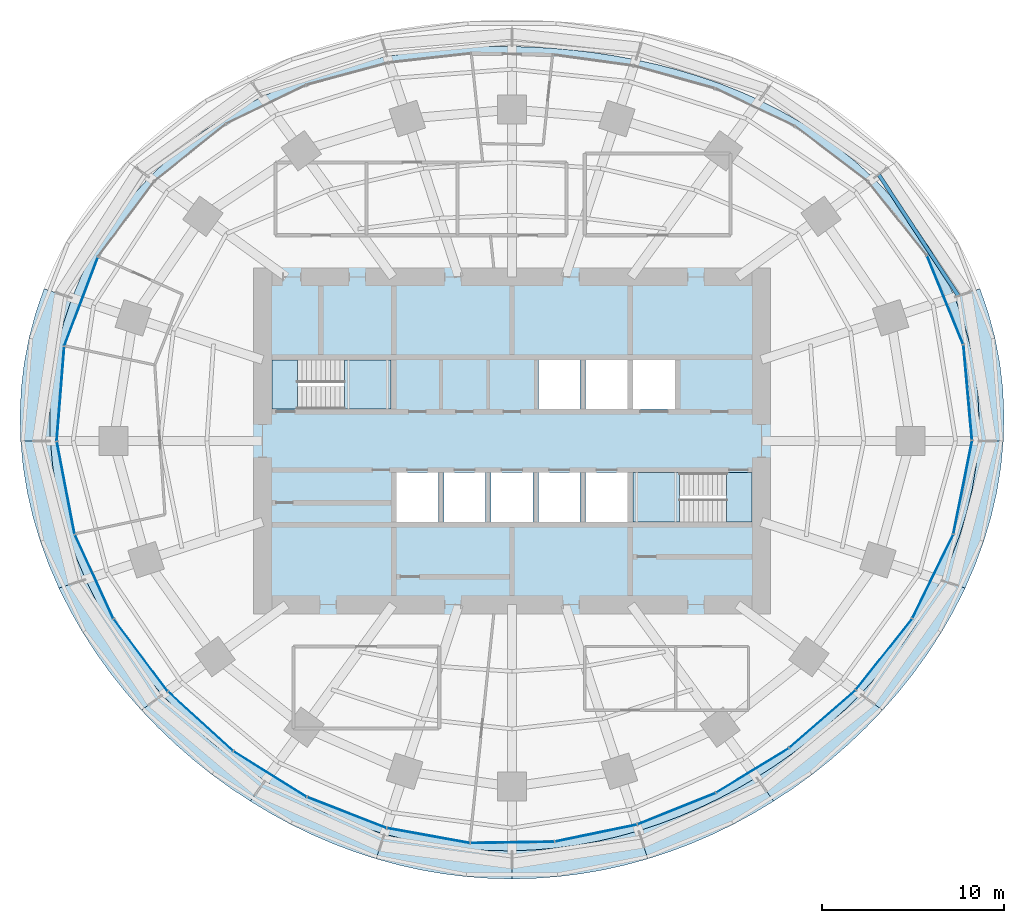
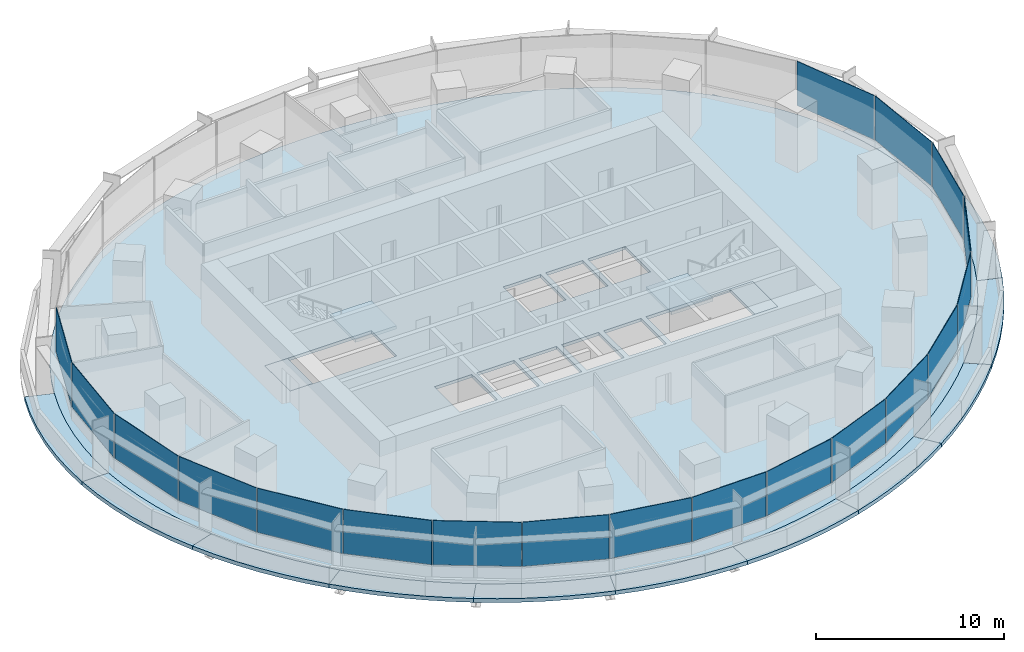
# One storey, part 9 of 15: 19 plates, 17 slabs, 1 beam, 7 elements without a shape of their own.
"""IFC4 building model written with IfcOpenShell, lengths in metres."""

from ifc_helpers import new_model, si_unit, direction, frame, origin, origin_2d, place, context, subcontext, project, spatial, polyline, rectangle, i_section, outline, extrude, material, layer, layer_set, material_profile, profile_set, type_object, element, aggregate, save


model = new_model("IFC4")

# Units and contexts
model_context = context("Model", 3, precision=1e-05, world=origin(), true_north=direction((0.0, 1.0)))
body_context = subcontext(model_context, "Body", "Model", "MODEL_VIEW")
ifc_project = project(units=[si_unit("LENGTHUNIT", "METRE"), si_unit("AREAUNIT", "SQUARE_METRE"), si_unit("VOLUMEUNIT", "CUBIC_METRE"), si_unit("PLANEANGLEUNIT", "RADIAN"), si_unit("MASSUNIT", "GRAM", prefix="KILO")], contexts=[model_context])

# Site, building, storey
site_placement = place(None, origin())
site = spatial("IfcSite", under=ifc_project, at=site_placement, CompositionType="ELEMENT")
building_placement = place(site_placement, origin())
building = spatial("IfcBuilding", under=site, at=building_placement, Name="Marramba Exchange Tower", CompositionType="ELEMENT")
storey_placement = place(building_placement, frame((0.0, 0.0, 92.39990234375)))
storey = spatial("IfcBuildingStorey", under=building, at=storey_placement, Name="L21", CompositionType="ELEMENT", Elevation=92.39990234375)

# Beam
ifc_material_1 = material(Name="Steel AS/NZS 3679.1 grade 300", Category="steel")
ifc_material_profile = material_profile(ifc_material_1, i_section(OverallWidth=0.208984375, OverallDepth=0.528076171875, WebThickness=0.009521484375, FlangeThickness=0.01318359375, FilletRadius=0.013916015625, at=origin_2d()), Name="530UB82.0")
ifc_profile_set = profile_set([ifc_material_profile], Name="Steel AS/NZS 3679.1 grade 300")
beam_type = type_object("IfcBeamType", Name="Slab edge beam 530UB82.0", PredefinedType="SPANDREL", material=ifc_profile_set)
beam_placement = place(storey_placement, frame((24.528564453125, 7.9697265625, -0.513916015625), z_axis=(-0.549123544095, 0.835741188001, 0.0), x_axis=(-0.835741188001, -0.549123544095, 0.0)))
element("IfcBeam", 1, at=beam_placement, inside=storey, type_object=beam_type, Name="Setback roof edge beam L21 TC02-TC03", PredefinedType="SPANDREL", context=body_context, shape_type="SweptSolid", body=[
    extrude(i_section(OverallWidth=0.208984375, OverallDepth=0.528076171875, WebThickness=0.009521484375, FlangeThickness=0.01318359375, FilletRadius=0.013916015625, at=origin_2d()), origin(), (0.0, 0.0, 1.0), 7.978759765625),
])

# Slab
ifc_material_2 = material(Name="Concrete N40", Category="concrete")
ifc_layer_1 = layer(ifc_material_2, 0.199951171875)
ifc_layer_set_1 = layer_set([ifc_layer_1], Name="Floor slab 200")
slab_type_1 = type_object("IfcSlabType", Name="Floor slab 200", PredefinedType="FLOOR", material=ifc_layer_set_1)
slab_1_placement = place(storey_placement, frame((0.0, 0.0, -0.199951171875)))
element("IfcSlab", 2, at=slab_1_placement, inside=storey, type_object=slab_type_1, Name="Floor slab L21", PredefinedType="FLOOR", context=body_context, shape_type="SweptSolid", body=[
    extrude(outline(polyline([(25.632080078125, 0.0), (25.66064453125, 1.3447265625), (25.59033203125, 2.689697265625), (25.420166015625, 4.026123046875), (25.15087890625, 5.345947265625), (24.7841796875, 6.640869140625), (24.322998046875, 7.903076171875), (23.771484375, 9.125), (23.135009765625, 10.30029296875), (22.419677734375, 11.42333984375), (21.632080078125, 12.4892578125), (20.779541015625, 13.494384765625), (19.869384765625, 14.43603515625), (18.9091796875, 15.3125), (17.90625, 16.122802734375), (16.86767578125, 16.86767578125), (15.800048828125, 17.5478515625), (14.70947265625, 18.164794921875), (13.6015625, 18.720947265625), (12.48095703125, 19.218994140625), (11.3515625, 19.66162109375), (10.217041015625, 20.05224609375), (9.079833984375, 20.393798828125), (7.94189453125, 20.689453125), (6.804443359375, 20.942138671875), (5.668212890625, 21.154296875), (4.533447265625, 21.328369140625), (3.39990234375, 21.46630859375), (2.26708984375, 21.5693359375), (1.134033203125, 21.63818359375), (0.0, 21.673095703125), (-1.135986328125, 21.673828125), (-2.2744140625, 21.6396484375), (-3.416259765625, 21.5693359375), (-4.5615234375, 21.460693359375), (-5.71044921875, 21.31201171875), (-6.8623046875, 21.1201171875), (-8.01611328125, 20.8828125), (-9.170166015625, 20.5966796875), (-10.322509765625, 20.2587890625), (-11.4697265625, 19.8662109375), (-12.60888671875, 19.415771484375), (-13.7353515625, 18.905029296875), (-14.8447265625, 18.331787109375), (-15.931640625, 17.69384765625), (-16.989990234375, 16.989990234375), (-18.013916015625, 16.2197265625), (-18.996826171875, 15.38330078125), (-19.931884765625, 14.4814453125), (-20.8125, 13.515869140625), (-21.632080078125, 12.4892578125), (-22.384033203125, 11.4052734375), (-23.0625, 10.26806640625), (-23.661865234375, 9.0830078125), (-24.177734375, 7.855712890625), (-24.605712890625, 6.593017578125), (-24.943603515625, 5.302001953125), (-25.18896484375, 3.989501953125), (-25.341064453125, 2.663330078125), (-25.400390625, 1.3310546875), (-25.367919921875, 0.0), (-25.246337890625, -1.322998046875), (-25.038818359375, -2.631591796875), (-24.748779296875, -3.919921875), (-24.381103515625, -5.182373046875), (-23.940185546875, -6.414794921875), (-23.431396484375, -7.61328125), (-22.859130859375, -8.77490234375), (-22.22900390625, -9.89697265625), (-21.545166015625, -10.977783203125), (-20.81201171875, -12.015869140625), (-20.033935546875, -13.010009765625), (-19.2138671875, -13.959716796875), (-18.35546875, -14.86376953125), (-17.461181640625, -15.72216796875), (-16.53369140625, -16.53369140625), (-15.5751953125, -17.298095703125), (-14.587646484375, -18.014404296875), (-13.5732421875, -18.681884765625), (-12.533203125, -19.299560546875), (-11.4697265625, -19.8662109375), (-10.384765625, -20.381103515625), (-9.27978515625, -20.8427734375), (-8.157470703125, -21.250732421875), (-7.019287109375, -21.603271484375), (-5.8681640625, -21.900146484375), (-4.7060546875, -22.14013671875), (-3.53564453125, -22.322998046875), (-2.359375, -22.448486328125), (-1.179931640625, -22.516357421875), (0.0, -22.52685546875), (1.17822265625, -22.480712890625), (2.35205078125, -22.3779296875), (3.519287109375, -22.22021484375), (4.677978515625, -22.0078125), (5.825927734375, -21.742431640625), (6.96142578125, -21.425048828125), (8.0830078125, -21.05712890625), (9.189453125, -20.639892578125), (10.279296875, -20.17431640625), (11.3515625, -19.66162109375), (12.4052734375, -19.1025390625), (13.439453125, -18.497802734375), (14.45263671875, -17.847412109375), (15.44384765625, -17.152099609375), (16.411376953125, -16.411376953125), (17.353515625, -15.625244140625), (18.267822265625, -14.79296875), (19.1513671875, -13.914306640625), (20.000732421875, -12.98876953125), (20.81201171875, -12.015869140625), (21.580810546875, -10.995849609375), (22.301513671875, -9.92919921875), (22.96875, -8.81689453125), (23.57666015625, -7.660400390625), (24.11865234375, -6.462646484375), (24.588623046875, -5.2265625), (24.980224609375, -3.95654296875), (25.2880859375, -2.657958984375), (25.5068359375, -1.336669921875), (25.632080078125, 0.0)]), holes=[polyline([(1.449951171875, 1.75), (3.75, 1.75), (3.75, 4.449951171875), (1.449951171875, 4.449951171875), (1.449951171875, 1.75)]), polyline([(4.050048828125, 1.75), (6.35009765625, 1.75), (6.35009765625, 4.449951171875), (4.050048828125, 4.449951171875), (4.050048828125, 1.75)]), polyline([(-6.35009765625, -4.449951171875), (-4.050048828125, -4.449951171875), (-4.050048828125, -1.75), (-6.35009765625, -1.75), (-6.35009765625, -4.449951171875)]), polyline([(-3.75, -4.449951171875), (-1.449951171875, -4.449951171875), (-1.449951171875, -1.75), (-3.75, -1.75), (-3.75, -4.449951171875)]), polyline([(-1.14990234375, -4.449951171875), (1.14990234375, -4.449951171875), (1.14990234375, -1.75), (-1.14990234375, -1.75), (-1.14990234375, -4.449951171875)]), polyline([(1.449951171875, -4.449951171875), (3.75, -4.449951171875), (3.75, -1.75), (1.449951171875, -1.75), (1.449951171875, -4.449951171875)]), polyline([(4.050048828125, -4.449951171875), (6.35009765625, -4.449951171875), (6.35009765625, -1.75), (4.050048828125, -1.75), (4.050048828125, -4.449951171875)]), polyline([(6.64990234375, 1.75), (8.949951171875, 1.75), (8.949951171875, 4.449951171875), (6.64990234375, 4.449951171875), (6.64990234375, 1.75)]), polyline([(-13.199951171875, 1.75), (-6.64990234375, 1.75), (-6.64990234375, 4.449951171875), (-13.199951171875, 4.449951171875), (-13.199951171875, 1.75)]), polyline([(6.64990234375, -4.449951171875), (13.199951171875, -4.449951171875), (13.199951171875, -1.75), (6.64990234375, -1.75), (6.64990234375, -4.449951171875)])]), origin(), (0.0, 0.0, 1.0), 0.199951171875),
])

# Curtain wall, plates
ifc_material_3 = material(Name="Aluminium framing, bronze anodised", Category="aluminium")
curtain_wall_type = type_object("IfcCurtainWallType", Name="Office ribbon curtain wall", PredefinedType="USERDEFINED", material=ifc_material_3)
curtain_wall_1_placement = place(storey_placement, origin())
curtain_wall_1 = element("IfcCurtainWall", 3, at=curtain_wall_1_placement, inside=storey, type_object=curtain_wall_type, Name="Curtain wall CW4 L21 F01-F05", ObjectType="RIBBON CURTAIN WALL", PredefinedType="USERDEFINED")
ifc_material_4 = material(Name="Laminated double glazed unit 10.76 + 16 + 10.76, bronze tinted", Category="glass")
ifc_layer_2 = layer(ifc_material_4, 0.03759765625)
ifc_layer_set_2 = layer_set([ifc_layer_2], Name="Office ribbon curtain wall panel")
plate_type = type_object("IfcPlateType", Name="Office ribbon curtain wall panel", PredefinedType="CURTAIN_PANEL", material=ifc_layer_set_2)
plate_1_placement = place(storey_placement, frame((25.042724609375, 2.66650390625, 0.860107421875), z_axis=(0.0, 0.0, 1.0), x_axis=(-0.089412887889, 0.995994646311, 0.0)))
plate_1 = element("IfcPlate", 4, at=plate_1_placement, type_object=plate_type, Name="CW4 vision panel", PredefinedType="CURTAIN_PANEL", context=body_context, shape_type="SweptSolid", body=[
    extrude(rectangle(XDim=5.234375, YDim=0.03759765625, at=origin_2d()), origin(), (0.0, 0.0, 1.0), 2.8798828125),
])
plate_2_placement = place(storey_placement, frame((23.800537109375, 7.743408203125, 0.860107421875), z_axis=(0.0, 0.0, 1.0), x_axis=(-0.377821183171, 0.925878584668, 0.0)))
plate_2 = element("IfcPlate", 5, at=plate_2_placement, type_object=plate_type, Name="CW4 vision panel", PredefinedType="CURTAIN_PANEL", context=body_context, shape_type="SweptSolid", body=[
    extrude(rectangle(XDim=5.2158203125, YDim=0.03759765625, at=origin_2d()), origin(), (0.0, 0.0, 1.0), 2.8798828125),
])
aggregate(curtain_wall_1, [plate_1, plate_2])

curtain_wall_2_placement = place(storey_placement, origin())
curtain_wall_2 = element("IfcCurtainWall", 6, at=curtain_wall_2_placement, inside=storey, type_object=curtain_wall_type, Name="Curtain wall CW4 L21 F11-F15", ObjectType="RIBBON CURTAIN WALL", PredefinedType="USERDEFINED")
plate_3_placement = place(storey_placement, frame((-23.6826171875, 7.6494140625, 0.860107421875), z_axis=(0.0, 0.0, 1.0), x_axis=(-0.354844468484, -0.934925346317, 0.0)))
plate_3 = element("IfcPlate", 7, at=plate_3_placement, type_object=plate_type, Name="CW4 vision panel", PredefinedType="CURTAIN_PANEL", context=body_context, shape_type="SweptSolid", body=[
    extrude(rectangle(XDim=5.177490234375, YDim=0.03759765625, at=origin_2d()), origin(), (0.0, 0.0, 1.0), 2.8798828125),
])
plate_4_placement = place(storey_placement, frame((-24.81201171875, 2.584716796875, 0.860107421875), z_axis=(0.0, 0.0, 1.0), x_axis=(-0.079459696383, -0.996838079455, 0.0)))
plate_4 = element("IfcPlate", 8, at=plate_4_placement, type_object=plate_type, Name="CW4 vision panel", PredefinedType="CURTAIN_PANEL", context=body_context, shape_type="SweptSolid", body=[
    extrude(rectangle(XDim=5.185791015625, YDim=0.03759765625, at=origin_2d()), origin(), (0.0, 0.0, 1.0), 2.8798828125),
])
aggregate(curtain_wall_2, [plate_3, plate_4])

curtain_wall_3_placement = place(storey_placement, origin())
curtain_wall_3 = element("IfcCurtainWall", 9, at=curtain_wall_3_placement, inside=storey, type_object=curtain_wall_type, Name="Curtain wall CW4 L21 F16-F20", ObjectType="RIBBON CURTAIN WALL", PredefinedType="USERDEFINED")
plate_5_placement = place(storey_placement, frame((-24.522705078125, -2.584228515625, 0.860107421875), z_axis=(0.0, 0.0, 1.0), x_axis=(0.18822721487, -0.982125509078, 0.0)))
plate_5 = element("IfcPlate", 10, at=plate_5_placement, type_object=plate_type, Name="CW4 vision panel", PredefinedType="CURTAIN_PANEL", context=body_context, shape_type="SweptSolid", body=[
    extrude(rectangle(XDim=5.142578125, YDim=0.03759765625, at=origin_2d()), origin(), (0.0, 0.0, 1.0), 2.8798828125),
])
plate_6_placement = place(storey_placement, frame((-22.96142578125, -7.45947265625, 0.860107421875), z_axis=(0.0, 0.0, 1.0), x_axis=(0.416737848929, -0.909026713177, 0.0)))
plate_6 = element("IfcPlate", 11, at=plate_6_placement, type_object=plate_type, Name="CW4 vision panel", PredefinedType="CURTAIN_PANEL", context=body_context, shape_type="SweptSolid", body=[
    extrude(rectangle(XDim=5.0498046875, YDim=0.03759765625, at=origin_2d()), origin(), (0.0, 0.0, 1.0), 2.8798828125),
])
plate_7_placement = place(storey_placement, frame((-20.402099609375, -11.7783203125, 0.860107421875), z_axis=(0.0, 0.0, 1.0), x_axis=(0.597304697033, -0.802014400683, 0.0)))
plate_7 = element("IfcPlate", 12, at=plate_7_placement, type_object=plate_type, Name="CW4 vision panel", PredefinedType="CURTAIN_PANEL", context=body_context, shape_type="SweptSolid", body=[
    extrude(rectangle(XDim=4.926513671875, YDim=0.03759765625, at=origin_2d()), origin(), (0.0, 0.0, 1.0), 2.8798828125),
])
plate_8_placement = place(storey_placement, frame((-17.11376953125, -15.416259765625, 0.860107421875), z_axis=(0.0, 0.0, 1.0), x_axis=(0.737821886077, -0.674995455115, 0.0)))
plate_8 = element("IfcPlate", 13, at=plate_8_placement, type_object=plate_type, Name="CW4 vision panel", PredefinedType="CURTAIN_PANEL", context=body_context, shape_type="SweptSolid", body=[
    extrude(rectangle(XDim=4.80517578125, YDim=0.03759765625, at=origin_2d()), origin(), (0.0, 0.0, 1.0), 2.8798828125),
])
plate_9_placement = place(storey_placement, frame((-13.29248046875, -18.31640625, 0.860107421875), z_axis=(0.0, 0.0, 1.0), x_axis=(0.84835459748, -0.52942844364, 0.0)))
plate_9 = element("IfcPlate", 14, at=plate_9_placement, type_object=plate_type, Name="CW4 vision panel", PredefinedType="CURTAIN_PANEL", context=body_context, shape_type="SweptSolid", body=[
    extrude(rectangle(XDim=4.70947265625, YDim=0.03759765625, at=origin_2d()), origin(), (0.0, 0.0, 1.0), 2.8798828125),
])
aggregate(curtain_wall_3, [plate_5, plate_6, plate_7, plate_8, plate_9])

curtain_wall_4_placement = place(storey_placement, origin())
curtain_wall_4 = element("IfcCurtainWall", 15, at=curtain_wall_4_placement, inside=storey, type_object=curtain_wall_type, Name="Curtain wall CW4 L21 F21-F25", ObjectType="RIBBON CURTAIN WALL", PredefinedType="USERDEFINED")
plate_10_placement = place(storey_placement, frame((-9.074951171875, -20.427734375, 0.860107421875), z_axis=(0.0, 0.0, 1.0), x_axis=(0.931818390344, -0.36292490603, 0.0)))
plate_10 = element("IfcPlate", 16, at=plate_10_placement, type_object=plate_type, Name="CW4 vision panel", PredefinedType="CURTAIN_PANEL", context=body_context, shape_type="SweptSolid", body=[
    extrude(rectangle(XDim=4.644287109375, YDim=0.03759765625, at=origin_2d()), origin(), (0.0, 0.0, 1.0), 2.8798828125),
])
plate_11_placement = place(storey_placement, frame((-4.58740234375, -21.690673828125, 0.860107421875), z_axis=(0.0, 0.0, 1.0), x_axis=(0.984031865834, -0.177992379115, 0.0)))
plate_11 = element("IfcPlate", 17, at=plate_11_placement, type_object=plate_type, Name="CW4 vision panel", PredefinedType="CURTAIN_PANEL", context=body_context, shape_type="SweptSolid", body=[
    extrude(rectangle(XDim=4.602783203125, YDim=0.03759765625, at=origin_2d()), origin(), (0.0, 0.0, 1.0), 2.8798828125),
])
plate_12_placement = place(storey_placement, frame((0.0263671875, -22.064697265625, 0.860107421875), z_axis=(0.0, 0.0, 1.0), x_axis=(0.999884797709, 0.015178646521, 0.0)))
plate_12 = element("IfcPlate", 18, at=plate_12_placement, type_object=plate_type, Name="CW4 vision panel", PredefinedType="CURTAIN_PANEL", context=body_context, shape_type="SweptSolid", body=[
    extrude(rectangle(XDim=4.578857421875, YDim=0.03759765625, at=origin_2d()), origin(), (0.0, 0.0, 1.0), 2.8798828125),
])
plate_13_placement = place(storey_placement, frame((4.61376953125, -21.554931640625, 0.860107421875), z_axis=(0.0, 0.0, 1.0), x_axis=(0.979310199794, 0.202364850159, 0.0)))
plate_13 = element("IfcPlate", 19, at=plate_13_placement, type_object=plate_type, Name="CW4 vision panel", PredefinedType="CURTAIN_PANEL", context=body_context, shape_type="SweptSolid", body=[
    extrude(rectangle(XDim=4.57373046875, YDim=0.03759765625, at=origin_2d()), origin(), (0.0, 0.0, 1.0), 2.8798828125),
])
plate_14_placement = place(storey_placement, frame((9.042724609375, -20.214111328125, 0.860107421875), z_axis=(0.0, 0.0, 1.0), x_axis=(0.928148916059, 0.372209067082, 0.0)))
plate_14 = element("IfcPlate", 20, at=plate_14_placement, type_object=plate_type, Name="CW4 vision panel", PredefinedType="CURTAIN_PANEL", context=body_context, shape_type="SweptSolid", body=[
    extrude(rectangle(XDim=4.59814453125, YDim=0.03759765625, at=origin_2d()), origin(), (0.0, 0.0, 1.0), 2.8798828125),
])
aggregate(curtain_wall_4, [plate_10, plate_11, plate_12, plate_13, plate_14])

curtain_wall_5_placement = place(storey_placement, origin())
curtain_wall_5 = element("IfcCurtainWall", 21, at=curtain_wall_5_placement, inside=storey, type_object=curtain_wall_type, Name="Curtain wall CW4 L21 F26-F30", ObjectType="RIBBON CURTAIN WALL", PredefinedType="USERDEFINED")
plate_15_placement = place(storey_placement, frame((13.21875, -18.109619140625, 0.860107421875), z_axis=(0.0, 0.0, 1.0), x_axis=(0.853109114492, 0.521732535664, 0.0)))
plate_15 = element("IfcPlate", 22, at=plate_15_placement, type_object=plate_type, Name="CW4 vision panel", PredefinedType="CURTAIN_PANEL", context=body_context, shape_type="SweptSolid", body=[
    extrude(rectangle(XDim=4.66748046875, YDim=0.03759765625, at=origin_2d()), origin(), (0.0, 0.0, 1.0), 2.8798828125),
])
plate_16_placement = place(storey_placement, frame((17.0615234375, -15.280517578125, 0.860107421875), z_axis=(0.0, 0.0, 1.0), x_axis=(0.754385506384, 0.656431647438, 0.0)))
plate_16 = element("IfcPlate", 23, at=plate_16_placement, type_object=plate_type, Name="CW4 vision panel", PredefinedType="CURTAIN_PANEL", context=body_context, shape_type="SweptSolid", body=[
    extrude(rectangle(XDim=4.789794921875, YDim=0.03759765625, at=origin_2d()), origin(), (0.0, 0.0, 1.0), 2.8798828125),
])
plate_17_placement = place(storey_placement, frame((20.443603515625, -11.724365234375, 0.860107421875), z_axis=(0.0, 0.0, 1.0), x_axis=(0.621807472329, 0.783170139469, 0.0)))
plate_17 = element("IfcPlate", 24, at=plate_17_placement, type_object=plate_type, Name="CW4 vision panel", PredefinedType="CURTAIN_PANEL", context=body_context, shape_type="SweptSolid", body=[
    extrude(rectangle(XDim=4.947265625, YDim=0.03759765625, at=origin_2d()), origin(), (0.0, 0.0, 1.0), 2.8798828125),
])
plate_18_placement = place(storey_placement, frame((23.127197265625, -7.443359375, 0.860107421875), z_axis=(0.0, 0.0, 1.0), x_axis=(0.439086342308, 0.89844486976, 0.0)))
plate_18 = element("IfcPlate", 25, at=plate_18_placement, type_object=plate_type, Name="CW4 vision panel", PredefinedType="CURTAIN_PANEL", context=body_context, shape_type="SweptSolid", body=[
    extrude(rectangle(XDim=5.096923828125, YDim=0.03759765625, at=origin_2d()), origin(), (0.0, 0.0, 1.0), 2.8798828125),
])
plate_19_placement = place(storey_placement, frame((24.77001953125, -2.54736328125, 0.860107421875), z_axis=(0.0, 0.0, 1.0), x_axis=(0.197048511267, 0.980393739376, 0.0)))
plate_19 = element("IfcPlate", 26, at=plate_19_placement, type_object=plate_type, Name="CW4 vision panel", PredefinedType="CURTAIN_PANEL", context=body_context, shape_type="SweptSolid", body=[
    extrude(rectangle(XDim=5.19677734375, YDim=0.03759765625, at=origin_2d()), origin(), (0.0, 0.0, 1.0), 2.8798828125),
])
aggregate(curtain_wall_5, [plate_15, plate_16, plate_17, plate_18, plate_19])

# Slabs
ifc_layer_3 = layer(ifc_material_2, 0.25)
ifc_layer_set_3 = layer_set([ifc_layer_3], Name="Setback roof slab 250")
slab_type_2 = type_object("IfcSlabType", Name="Setback roof slab 250", PredefinedType="ROOF", material=ifc_layer_set_3)
slab_2_placement = place(storey_placement, frame((0.0, 0.0, -0.25)))
element("IfcSlab", 27, at=slab_2_placement, inside=storey, type_object=slab_type_2, Name="Setback roof slab L21 bay 01 (maintenance access only)", PredefinedType="ROOF", context=body_context, shape_type="SweptSolid", body=[
    extrude(outline(polyline([(25.717529296875, 8.356201171875), (26.179443359375, 7.0146484375), (26.5439453125, 5.64208984375), (26.80859375, 4.24609375), (26.97265625, 2.8349609375), (27.035888671875, 1.4169921875), (27.0, 0.0), (25.632080078125, 0.0), (25.66064453125, 1.3447265625), (25.59033203125, 2.689697265625), (25.420166015625, 4.026123046875), (25.15087890625, 5.345947265625), (24.7841796875, 6.640869140625), (24.322998046875, 7.903076171875), (25.717529296875, 8.356201171875)])), origin(), (0.0, 0.0, 1.0), 0.25),
])
slab_3_placement = place(storey_placement, frame((0.0, 0.0, -0.25)))
element("IfcSlab", 28, at=slab_3_placement, inside=storey, type_object=slab_type_2, Name="Setback roof slab L21 bay 10 (maintenance access only)", PredefinedType="ROOF", context=body_context, shape_type="SweptSolid", body=[
    extrude(outline(polyline([(-27.035888671875, 1.4169921875), (-26.97265625, 2.8349609375), (-26.80859375, 4.24609375), (-26.5439453125, 5.64208984375), (-26.179443359375, 7.0146484375), (-25.717529296875, 8.356201171875), (-24.177734375, 7.855712890625), (-24.605712890625, 6.593017578125), (-24.943603515625, 5.302001953125), (-25.18896484375, 3.989501953125), (-25.341064453125, 2.663330078125), (-25.400390625, 1.3310546875), (-25.367919921875, 0.0), (-27.0, 0.0), (-27.035888671875, 1.4169921875)])), origin(), (0.0, 0.0, 1.0), 0.25),
])
slab_4_placement = place(storey_placement, frame((0.0, 0.0, -0.25)))
element("IfcSlab", 29, at=slab_4_placement, inside=storey, type_object=slab_type_2, Name="Setback roof slab L21 bay 11 (maintenance access only)", PredefinedType="ROOF", context=body_context, shape_type="SweptSolid", body=[
    extrude(outline(polyline([(-25.44921875, -6.819091796875), (-25.927001953125, -5.510986328125), (-26.326171875, -4.169677734375), (-26.64111328125, -2.800048828125), (-26.8671875, -1.407958984375), (-27.0, 0.0), (-25.367919921875, 0.0), (-25.246337890625, -1.322998046875), (-25.038818359375, -2.631591796875), (-24.748779296875, -3.919921875), (-24.381103515625, -5.182373046875), (-23.940185546875, -6.414794921875), (-23.431396484375, -7.61328125), (-24.8984375, -8.090087890625), (-25.44921875, -6.819091796875)])), origin(), (0.0, 0.0, 1.0), 0.25),
])
slab_5_placement = place(storey_placement, frame((0.0, 0.0, -0.25)))
element("IfcSlab", 30, at=slab_5_placement, inside=storey, type_object=slab_type_2, Name="Setback roof slab L21 bay 12 (maintenance access only)", PredefinedType="ROOF", context=body_context, shape_type="SweptSolid", body=[
    extrude(outline(polyline([(-20.36865234375, -14.798583984375), (-21.244873046875, -13.796630859375), (-22.078369140625, -12.7470703125), (-22.865234375, -11.650390625), (-23.60107421875, -10.5078125), (-24.280517578125, -9.320556640625), (-24.8984375, -8.090087890625), (-23.431396484375, -7.61328125), (-22.859130859375, -8.77490234375), (-22.22900390625, -9.89697265625), (-21.545166015625, -10.977783203125), (-20.81201171875, -12.015869140625), (-20.033935546875, -13.010009765625), (-19.2138671875, -13.959716796875), (-20.36865234375, -14.798583984375)])), origin(), (0.0, 0.0, 1.0), 0.25),
])
slab_6_placement = place(storey_placement, frame((0.0, 0.0, -0.25)))
element("IfcSlab", 31, at=slab_6_placement, inside=storey, type_object=slab_type_2, Name="Setback roof slab L21 bay 13 (maintenance access only)", PredefinedType="ROOF", context=body_context, shape_type="SweptSolid", body=[
    extrude(outline(polyline([(-14.385009765625, -19.799072265625), (-15.457275390625, -19.088134765625), (-16.501953125, -18.327392578125), (-17.517578125, -17.517578125), (-18.502197265625, -16.659423828125), (-19.453369140625, -15.753173828125), (-20.36865234375, -14.798583984375), (-19.2138671875, -13.959716796875), (-18.35546875, -14.86376953125), (-17.461181640625, -15.72216796875), (-16.53369140625, -16.53369140625), (-15.5751953125, -17.298095703125), (-14.587646484375, -18.014404296875), (-13.5732421875, -18.681884765625), (-14.385009765625, -19.799072265625)])), origin(), (0.0, 0.0, 1.0), 0.25),
])
slab_7_placement = place(storey_placement, frame((0.0, 0.0, -0.25)))
element("IfcSlab", 32, at=slab_7_placement, inside=storey, type_object=slab_type_2, Name="Setback roof slab L21 bay 14 (maintenance access only)", PredefinedType="ROOF", context=body_context, shape_type="SweptSolid", body=[
    extrude(outline(polyline([(-7.463134765625, -22.968994140625), (-8.66650390625, -22.577392578125), (-9.8525390625, -22.129150390625), (-11.01904296875, -21.6259765625), (-12.164306640625, -21.069091796875), (-13.286865234375, -20.459716796875), (-14.385009765625, -19.799072265625), (-13.5732421875, -18.681884765625), (-12.533203125, -19.299560546875), (-11.4697265625, -19.8662109375), (-10.384765625, -20.381103515625), (-9.27978515625, -20.8427734375), (-8.157470703125, -21.250732421875), (-7.019287109375, -21.603271484375), (-7.463134765625, -22.968994140625)])), origin(), (0.0, 0.0, 1.0), 0.25),
])
slab_8_placement = place(storey_placement, frame((0.0, 0.0, -0.25)))
element("IfcSlab", 33, at=slab_8_placement, inside=storey, type_object=slab_type_2, Name="Setback roof slab L21 bay 15 (maintenance access only)", PredefinedType="ROOF", context=body_context, shape_type="SweptSolid", body=[
    extrude(outline(polyline([(-1.260009765625, -24.041015625), (-2.51708984375, -23.947998046875), (-3.7685546875, -23.793701171875), (-5.01171875, -23.578369140625), (-6.244140625, -23.30322265625), (-7.463134765625, -22.968994140625), (-7.019287109375, -21.603271484375), (-5.8681640625, -21.900146484375), (-4.7060546875, -22.14013671875), (-3.53564453125, -22.322998046875), (-2.359375, -22.448486328125), (-1.179931640625, -22.516357421875), (0.0, -22.52685546875), (0.0, -24.072021484375), (-1.260009765625, -24.041015625)])), origin(), (0.0, 0.0, 1.0), 0.25),
])
slab_9_placement = place(storey_placement, frame((0.0, 0.0, -0.25)))
element("IfcSlab", 34, at=slab_9_placement, inside=storey, type_object=slab_type_2, Name="Setback roof slab L21 bay 16 (maintenance access only)", PredefinedType="ROOF", context=body_context, shape_type="SweptSolid", body=[
    extrude(outline(polyline([(6.244140625, -23.30322265625), (5.01171875, -23.578369140625), (3.7685546875, -23.793701171875), (2.51708984375, -23.947998046875), (1.260009765625, -24.041015625), (0.0, -24.072021484375), (0.0, -22.52685546875), (1.17822265625, -22.480712890625), (2.35205078125, -22.3779296875), (3.519287109375, -22.22021484375), (4.677978515625, -22.0078125), (5.825927734375, -21.742431640625), (6.96142578125, -21.425048828125), (7.463134765625, -22.968994140625), (6.244140625, -23.30322265625)])), origin(), (0.0, 0.0, 1.0), 0.25),
])
slab_10_placement = place(storey_placement, frame((0.0, 0.0, -0.25)))
element("IfcSlab", 35, at=slab_10_placement, inside=storey, type_object=slab_type_2, Name="Setback roof slab L21 bay 17 (maintenance access only)", PredefinedType="ROOF", context=body_context, shape_type="SweptSolid", body=[
    extrude(outline(polyline([(13.286865234375, -20.459716796875), (12.164306640625, -21.069091796875), (11.01904296875, -21.6259765625), (9.8525390625, -22.129150390625), (8.66650390625, -22.577392578125), (7.463134765625, -22.968994140625), (6.96142578125, -21.425048828125), (8.0830078125, -21.05712890625), (9.189453125, -20.639892578125), (10.279296875, -20.17431640625), (11.3515625, -19.66162109375), (12.4052734375, -19.1025390625), (13.439453125, -18.497802734375), (14.385009765625, -19.799072265625), (13.286865234375, -20.459716796875)])), origin(), (0.0, 0.0, 1.0), 0.25),
])
slab_11_placement = place(storey_placement, frame((0.0, 0.0, -0.25)))
element("IfcSlab", 36, at=slab_11_placement, inside=storey, type_object=slab_type_2, Name="Setback roof slab L21 bay 18 (maintenance access only)", PredefinedType="ROOF", context=body_context, shape_type="SweptSolid", body=[
    extrude(outline(polyline([(19.453369140625, -15.753173828125), (18.502197265625, -16.659423828125), (17.517578125, -17.517578125), (16.501953125, -18.327392578125), (15.457275390625, -19.088134765625), (14.385009765625, -19.799072265625), (13.439453125, -18.497802734375), (14.45263671875, -17.847412109375), (15.44384765625, -17.152099609375), (16.411376953125, -16.411376953125), (17.353515625, -15.625244140625), (18.267822265625, -14.79296875), (19.1513671875, -13.914306640625), (20.36865234375, -14.798583984375), (19.453369140625, -15.753173828125)])), origin(), (0.0, 0.0, 1.0), 0.25),
])
slab_12_placement = place(storey_placement, frame((0.0, 0.0, -0.25)))
element("IfcSlab", 37, at=slab_12_placement, inside=storey, type_object=slab_type_2, Name="Setback roof slab L21 bay 19 (maintenance access only)", PredefinedType="ROOF", context=body_context, shape_type="SweptSolid", body=[
    extrude(outline(polyline([(24.8984375, -8.090087890625), (24.280517578125, -9.320556640625), (23.60107421875, -10.5078125), (22.865234375, -11.650390625), (22.078369140625, -12.7470703125), (21.244873046875, -13.796630859375), (20.36865234375, -14.798583984375), (19.1513671875, -13.914306640625), (20.000732421875, -12.98876953125), (20.81201171875, -12.015869140625), (21.580810546875, -10.995849609375), (22.301513671875, -9.92919921875), (22.96875, -8.81689453125), (23.57666015625, -7.660400390625), (24.8984375, -8.090087890625)])), origin(), (0.0, 0.0, 1.0), 0.25),
])
slab_13_placement = place(storey_placement, frame((0.0, 0.0, -0.25)))
element("IfcSlab", 38, at=slab_13_placement, inside=storey, type_object=slab_type_2, Name="Setback roof slab L21 bay 20 (maintenance access only)", PredefinedType="ROOF", context=body_context, shape_type="SweptSolid", body=[
    extrude(outline(polyline([(26.8671875, -1.407958984375), (26.64111328125, -2.800048828125), (26.326171875, -4.169677734375), (25.927001953125, -5.510986328125), (25.44921875, -6.819091796875), (24.8984375, -8.090087890625), (23.57666015625, -7.660400390625), (24.11865234375, -6.462646484375), (24.588623046875, -5.2265625), (24.980224609375, -3.95654296875), (25.2880859375, -2.657958984375), (25.5068359375, -1.336669921875), (25.632080078125, 0.0), (27.0, 0.0), (26.8671875, -1.407958984375)])), origin(), (0.0, 0.0, 1.0), 0.25),
])

# Stair, slabs
ifc_material_5 = material(Name="Concrete N40 (40 MPa)", Category="concrete")
stair_type_1 = type_object("IfcStairType", Name="Exit stair ST1 3900 x 1250", PredefinedType="HALF_TURN_STAIR", material=ifc_material_5)
stair_1_placement = place(storey_placement, origin())
stair_1 = element("IfcStair", 39, at=stair_1_placement, inside=storey, type_object=stair_type_1, Name="Exit stair ST1 L21", PredefinedType="HALF_TURN_STAIR")
ifc_layer_4 = layer(ifc_material_5, 0.199951171875)
ifc_layer_set_4 = layer_set([ifc_layer_4], Name="Stair landing 200")
slab_type_3 = type_object("IfcSlabType", Name="Stair landing 200", PredefinedType="LANDING", material=ifc_layer_set_4)
slab_14_placement = place(storey_placement, frame((0.0, 0.0, -0.199951171875)))
slab_14 = element("IfcSlab", 40, at=slab_14_placement, type_object=slab_type_3, Name="ST1 landing 1", PredefinedType="LANDING", context=body_context, shape_type="SweptSolid", body=[
    extrude(outline(polyline([(-13.199951171875, 1.75), (-11.800048828125, 1.75), (-11.800048828125, 4.449951171875), (-13.199951171875, 4.449951171875), (-13.199951171875, 1.75)])), origin(), (0.0, 0.0, 1.0), 0.199951171875),
])
slab_15_placement = place(storey_placement, frame((0.0, 0.0, 1.75)))
slab_15 = element("IfcSlab", 41, at=slab_15_placement, type_object=slab_type_3, Name="ST1 landing 2", PredefinedType="LANDING", context=body_context, shape_type="SweptSolid", body=[
    extrude(outline(polyline([(-9.199951171875, 1.75), (-6.64990234375, 1.75), (-6.64990234375, 4.449951171875), (-9.199951171875, 4.449951171875), (-9.199951171875, 1.75)])), origin(), (0.0, 0.0, 1.0), 0.2001953125),
])
aggregate(stair_1, [slab_14, slab_15])

stair_type_2 = type_object("IfcStairType", Name="Exit stair ST2 3900 x 1250", PredefinedType="HALF_TURN_STAIR", material=ifc_material_5)
stair_2_placement = place(storey_placement, origin())
stair_2 = element("IfcStair", 42, at=stair_2_placement, inside=storey, type_object=stair_type_2, Name="Exit stair ST2 L21", PredefinedType="HALF_TURN_STAIR")
slab_16_placement = place(storey_placement, frame((0.0, 0.0, -0.199951171875)))
slab_16 = element("IfcSlab", 43, at=slab_16_placement, type_object=slab_type_3, Name="ST2 landing 1", PredefinedType="LANDING", context=body_context, shape_type="SweptSolid", body=[
    extrude(outline(polyline([(11.800048828125, -4.449951171875), (13.199951171875, -4.449951171875), (13.199951171875, -1.75), (11.800048828125, -1.75), (11.800048828125, -4.449951171875)])), origin(), (0.0, 0.0, 1.0), 0.199951171875),
])
slab_17_placement = place(storey_placement, frame((0.0, 0.0, 1.75)))
slab_17 = element("IfcSlab", 44, at=slab_17_placement, type_object=slab_type_3, Name="ST2 landing 2", PredefinedType="LANDING", context=body_context, shape_type="SweptSolid", body=[
    extrude(outline(polyline([(6.64990234375, -4.449951171875), (9.199951171875, -4.449951171875), (9.199951171875, -1.75), (6.64990234375, -1.75), (6.64990234375, -4.449951171875)])), origin(), (0.0, 0.0, 1.0), 0.2001953125),
])
aggregate(stair_2, [slab_16, slab_17])

save(model, "model.ifc")
